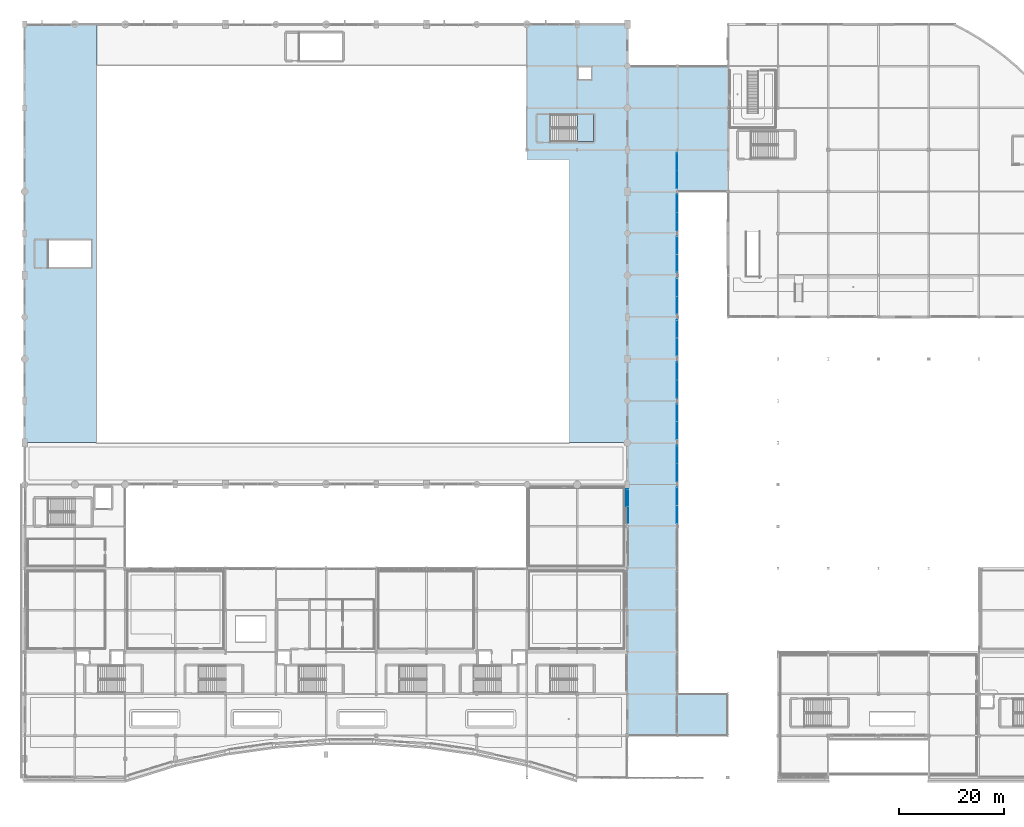
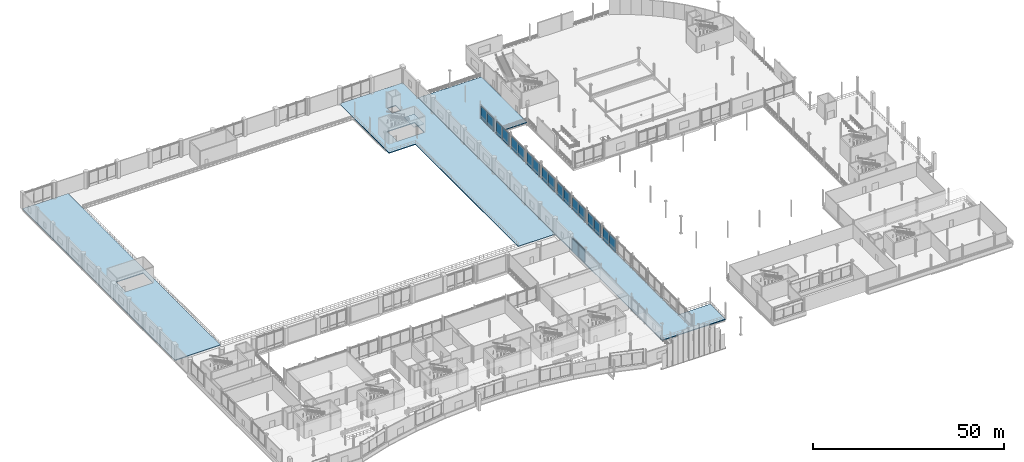
# One storey, part 72 of 129: 21 plates, 4 slabs, 12 elements without a shape of their own.
"""IFC4 building model written with IfcOpenShell, lengths in metres."""

import ifcopenshell
import ifcopenshell.guid

model = None  # the IFC model being written
_history = None  # IfcOwnerHistory: only IFC2X3 demands one
_inside = {}  # id of a spatial element -> (the spatial element, [elements in it])
_under = {}  # id of a project, library or spatial element -> (it, [spatial elements below it])
_declared = {}  # id of a project -> (the project, [libraries it declares])
_typed = {}  # id of a type object -> (the type object, [elements of that type])
_made_of = {}  # id of a material, layer set ... -> (it, [elements and type objects made of it])


def new_model(schema):
    """Start an empty IFC model of exactly this schema.

    Asked for "IFC4X3", IfcOpenShell would pick the latest addendum, in which some entities
    have other attributes; the version numbers below select the first issue.
    IFC2X3 requires an IfcOwnerHistory on every rooted entity: one is made here for all.
    """
    global model, _history
    if schema == "IFC4X3":
        model = ifcopenshell.file(schema_version=(4, 3, 0, 0))
    else:
        model = ifcopenshell.file(schema=schema)
    _inside.clear()
    _under.clear()
    _declared.clear()
    _typed.clear()
    _made_of.clear()
    _history = None
    if model.schema == "IFC2X3":
        org = make("IfcOrganization", Name="unknown")
        user = make(
            "IfcPersonAndOrganization",
            ThePerson=make("IfcPerson", FamilyName="unknown"),
            TheOrganization=org,
        )
        app = make(
            "IfcApplication",
            ApplicationDeveloper=org,
            Version="unknown",
            ApplicationFullName="unknown",
            ApplicationIdentifier="unknown",
        )
        _history = make(
            "IfcOwnerHistory",
            OwningUser=user,
            OwningApplication=app,
            ChangeAction="ADDED",
            CreationDate=0,
        )
    return model


def make(cls, **values):
    """One entity of the class cls with the attributes given. An attribute that is None is left unset."""
    return model.create_entity(
        cls, **{name: value for name, value in values.items() if value is not None}
    )


def rooted(cls, **values):
    """An entity with a GlobalId (a new one), such as an element, a storey or a relation."""
    return make(cls, GlobalId=ifcopenshell.guid.new(), OwnerHistory=_history, **values)


def si_unit(unit_type, name, prefix=None):
    """IfcSIUnit, for example si_unit("LENGTHUNIT", "METRE", prefix="MILLI")."""
    return make("IfcSIUnit", UnitType=unit_type, Prefix=prefix, Name=name)


def assignment(units):
    """IfcUnitAssignment: the units of a project."""
    return None if units is None else make("IfcUnitAssignment", Units=units)


def point(xyz):
    """IfcCartesianPoint."""
    return None if xyz is None else make("IfcCartesianPoint", Coordinates=xyz)


def direction(xyz):
    """IfcDirection."""
    return None if xyz is None else make("IfcDirection", DirectionRatios=xyz)


def frame(location, z_axis=None, x_axis=None):
    """IfcAxis2Placement3D, a coordinate frame: its origin and axes. An axis left out is left unset."""
    return make(
        "IfcAxis2Placement3D",
        Location=point(location),
        Axis=direction(z_axis),
        RefDirection=direction(x_axis),
    )


def frame_2d(location, x_axis=None):
    """IfcAxis2Placement2D, a coordinate frame in the plane: its origin and x axis."""
    return make(
        "IfcAxis2Placement2D", Location=point(location), RefDirection=direction(x_axis)
    )


def origin():
    """The frame at (0, 0, 0) with its axes left unset."""
    return frame((0.0, 0.0, 0.0))


def origin_2d():
    """The frame at (0, 0) in the plane with its x axis left unset."""
    return frame_2d((0.0, 0.0))


def place(relative_to, where):
    """IfcLocalPlacement: puts the frame where relative to a parent placement (None: the world)."""
    return make(
        "IfcLocalPlacement", PlacementRelTo=relative_to, RelativePlacement=where
    )


def context(
    kind, dimensions, precision=None, world=None, true_north=None, identifier=None
):
    """IfcGeometricRepresentationContext, for example the 3D "Model" context."""
    return make(
        "IfcGeometricRepresentationContext",
        ContextIdentifier=identifier,
        ContextType=kind,
        CoordinateSpaceDimension=dimensions,
        Precision=precision,
        WorldCoordinateSystem=world,
        TrueNorth=true_north,
    )


def subcontext(parent, identifier, kind, view, scale=None):
    """IfcGeometricRepresentationSubContext, for example "Body" below "Model"."""
    return make(
        "IfcGeometricRepresentationSubContext",
        ContextIdentifier=identifier,
        ContextType=kind,
        ParentContext=parent,
        TargetScale=scale,
        TargetView=view,
    )


def project(units=None, contexts=None):
    """IfcProject with its units and contexts."""
    return rooted(
        "IfcProject",
        Name="project",
        RepresentationContexts=contexts,
        UnitsInContext=assignment(units),
    )


def spatial(cls, under=None, at=None, **own):
    """A site, building, storey or space (cls), placed at a placement, below another one or the project."""
    s = rooted(cls, ObjectPlacement=at, **own)
    if under is not None:
        _under.setdefault(under.id(), (under, []))[1].append(s)
    return s


def polyline(points):
    """IfcPolyline through the points."""
    return make("IfcPolyline", Points=[point(p) for p in points])


def profile(cls, at=None, kind="AREA", **sizes):
    """A parametric profile (cls). Its sizes go by their IFC names, for example OverallWidth=200.0."""
    return make(cls, ProfileType=kind, Position=at, **sizes)


def rectangle(**sizes):
    """IfcRectangleProfileDef."""
    return profile("IfcRectangleProfileDef", **sizes)


def outline(outer, holes=None, kind="AREA"):
    """IfcArbitraryClosedProfileDef: a profile drawn as a closed curve; with holes, ...WithVoids."""
    if holes is None:
        return make("IfcArbitraryClosedProfileDef", ProfileType=kind, OuterCurve=outer)
    return make(
        "IfcArbitraryProfileDefWithVoids",
        ProfileType=kind,
        OuterCurve=outer,
        InnerCurves=holes,
    )


def extrude(swept, where, along, depth):
    """IfcExtrudedAreaSolid: the profile swept, set in the frame where, extruded along a direction by depth."""
    return make(
        "IfcExtrudedAreaSolid",
        SweptArea=swept,
        Position=where,
        ExtrudedDirection=direction(along),
        Depth=depth,
    )


def shape(context_of_items, identifier, shape_type, items):
    """IfcShapeRepresentation: the items that make up one representation, for example the "Body"."""
    return make(
        "IfcShapeRepresentation",
        ContextOfItems=context_of_items,
        RepresentationIdentifier=identifier,
        RepresentationType=shape_type,
        Items=items,
    )


def material(Name=None, Category=None):
    """IfcMaterial."""
    return make("IfcMaterial", Name=Name, Category=Category)


def layer(
    of_material, thickness, ventilated=None, Name=None, Category=None, Priority=None
):
    """IfcMaterialLayer: one layer of a wall or slab, of a material (None: an air gap)."""
    return make(
        "IfcMaterialLayer",
        Material=of_material,
        LayerThickness=thickness,
        IsVentilated=ventilated,
        Name=Name,
        Category=Category,
        Priority=Priority,
    )


def layer_set(layers, Name=None):
    """IfcMaterialLayerSet."""
    return make("IfcMaterialLayerSet", MaterialLayers=layers, LayerSetName=Name)


def made_of(thing, what):
    """Note that an element or type object is made of a material, layer set ...; save() writes the relation."""
    if what is not None:
        _made_of.setdefault(what.id(), (what, []))[1].append(thing)
    return thing


def type_object(cls, material=None, **own):
    """A type object (cls), such as IfcWallType, which elements share."""
    return made_of(rooted(cls, **own), material)


def element(
    cls,
    number,
    at=None,
    inside=None,
    cuts=None,
    type_object=None,
    material=None,
    context=None,
    identifier="Body",
    shape_type=None,
    held_by="IfcProductDefinitionShape",
    body=None,
    shapes=None,
    **own,
):
    """One element of the class cls, such as IfcWall. Its Tag is "e" and its number.

    at: its placement. inside: the storey or other place that contains it. cuts: it is an
    opening in that element (IfcRelVoidsElement). A single representation is given by context,
    identifier, shape_type and body (its items); several are given by shapes. held_by: the class
    of the entity that holds the representations. save() writes the other relations.
    """
    e = rooted(cls, Tag="e%d" % number, ObjectPlacement=at, **own)
    if body is not None:
        shapes = [shape(context, identifier, shape_type, body)]
    if shapes is not None:
        e.Representation = make(held_by, Representations=shapes)
    if inside is not None:
        _inside.setdefault(inside.id(), (inside, []))[1].append(e)
    if cuts is not None:
        rooted(
            "IfcRelVoidsElement", RelatingBuildingElement=cuts, RelatedOpeningElement=e
        )
    if type_object is not None:
        _typed.setdefault(type_object.id(), (type_object, []))[1].append(e)
    return made_of(e, material)


def aggregate(whole, parts):
    """IfcRelAggregates: a whole, such as a stair, and the parts it consists of."""
    return rooted("IfcRelAggregates", RelatingObject=whole, RelatedObjects=parts)


def save(model, path):
    """Write the relations noted so far, then the file.

    IfcRelAggregates (storeys below a building ...), IfcRelContainedInSpatialStructure (elements
    in a storey), IfcRelDefinesByType, IfcRelAssociatesMaterial and IfcRelDeclares: one each for
    every whole, place, type object, material and project.
    """
    for whole, parts in _under.values():
        aggregate(whole, parts)
    for where, things in _inside.values():
        rooted(
            "IfcRelContainedInSpatialStructure",
            RelatedElements=things,
            RelatingStructure=where,
        )
    for kind, things in _typed.values():
        rooted("IfcRelDefinesByType", RelatedObjects=things, RelatingType=kind)
    for what, things in _made_of.values():
        rooted("IfcRelAssociatesMaterial", RelatedObjects=things, RelatingMaterial=what)
    for by, libraries in _declared.values():
        rooted("IfcRelDeclares", RelatingContext=by, RelatedDefinitions=libraries)
    model.write(path)


model = new_model("IFC4")

# Units and contexts
model_context = context("Model", 3, precision=1e-05, world=origin(), true_north=direction((0.0, 1.0)))
body_context = subcontext(model_context, "Body", "Model", "MODEL_VIEW")
ifc_project = project(units=[si_unit("LENGTHUNIT", "METRE"), si_unit("AREAUNIT", "SQUARE_METRE"), si_unit("VOLUMEUNIT", "CUBIC_METRE"), si_unit("PLANEANGLEUNIT", "RADIAN"), si_unit("MASSUNIT", "GRAM", prefix="KILO")], contexts=[model_context])

# Site, building, storey
site_placement = place(None, origin())
site = spatial("IfcSite", under=ifc_project, at=site_placement, CompositionType="ELEMENT")
building_placement = place(site_placement, origin())
building = spatial("IfcBuilding", under=site, at=building_placement, Name="Danafjord Basin Convention Centre", CompositionType="ELEMENT")
storey_placement = place(building_placement, frame((0.0, 0.0, 6.0)))
storey = spatial("IfcBuildingStorey", under=building, at=storey_placement, Name="L01", CompositionType="ELEMENT", Elevation=6.0)

# Curtain wall, plate
ifc_material_1 = material(Name="Anodised aluminium and triple glazing", Category="aluminium")
curtain_wall_type_1 = type_object("IfcCurtainWallType", Name="CW-CW-TERR", PredefinedType="NOTDEFINED", material=ifc_material_1)
curtain_wall_1_placement = place(storey_placement, origin())
curtain_wall_1 = element("IfcCurtainWall", 1, at=curtain_wall_1_placement, inside=storey, type_object=curtain_wall_type_1, Name="L01 CW-TERR unitised curtain wall bay 60", PredefinedType="NOTDEFINED")
ifc_material_2 = material(Name="Triple low-E insulated glazing", Category="glass")
ifc_layer_1 = layer(ifc_material_2, 0.0380859375)
ifc_layer_set_1 = layer_set([ifc_layer_1], Name="Triple low-E insulated glazing")
plate_type_1 = type_object("IfcPlateType", Name="PLT-GP-38", PredefinedType="CURTAIN_PANEL", material=ifc_layer_set_1)
plate_1_placement = place(storey_placement, frame((115.050048828125, 53.47509765625, 0.087890625), z_axis=(0.0, 0.0, 1.0), x_axis=(0.0, 1.0, 0.0)))
plate_1 = element("IfcPlate", 2, at=plate_1_placement, type_object=plate_type_1, Name="CW-L01-060 vision glazing unit 2", PredefinedType="CURTAIN_PANEL", context=body_context, shape_type="SweptSolid", body=[
    extrude(rectangle(XDim=3.194091796875, YDim=0.0380859375, at=origin_2d()), origin(), (0.0, 0.0, 1.0), 4.0390625),
])
aggregate(curtain_wall_1, [plate_1])

# Curtain wall, plates
curtain_wall_type_2 = type_object("IfcCurtainWallType", Name="CW-CW-BRIDGE", PredefinedType="NOTDEFINED", material=ifc_material_1)
curtain_wall_2_placement = place(storey_placement, origin())
curtain_wall_2 = element("IfcCurtainWall", 3, at=curtain_wall_2_placement, inside=storey, type_object=curtain_wall_type_2, Name="L01 CW-BRIDGE unitised curtain wall bay 164", PredefinedType="NOTDEFINED")
plate_2_placement = place(storey_placement, frame((115.35009765625, 53.47509765625, 0.087890625), z_axis=(0.0, 0.0, 1.0), x_axis=(0.0, -1.0, 0.0)))
plate_2 = element("IfcPlate", 4, at=plate_2_placement, type_object=plate_type_1, Name="CW-L01-164 vision glazing unit 1", PredefinedType="CURTAIN_PANEL", context=body_context, shape_type="SweptSolid", body=[
    extrude(rectangle(XDim=3.194091796875, YDim=0.0380859375, at=origin_2d()), origin(), (0.0, 0.0, 1.0), 4.0390625),
])
plate_3_placement = place(storey_placement, frame((115.35009765625, 50.22509765625, 0.087890625), z_axis=(0.0, 0.0, 1.0), x_axis=(0.0, -1.0, 0.0)))
plate_3 = element("IfcPlate", 5, at=plate_3_placement, type_object=plate_type_1, Name="CW-L01-164 vision glazing unit 2", PredefinedType="CURTAIN_PANEL", context=body_context, shape_type="SweptSolid", body=[
    extrude(rectangle(XDim=3.194091796875, YDim=0.0380859375, at=origin_2d()), origin(), (0.0, 0.0, 1.0), 4.0390625),
])
aggregate(curtain_wall_2, [plate_2, plate_3])

curtain_wall_3_placement = place(storey_placement, origin())
curtain_wall_3 = element("IfcCurtainWall", 6, at=curtain_wall_3_placement, inside=storey, type_object=curtain_wall_type_2, Name="L01 CW-BRIDGE unitised curtain wall bay 166", PredefinedType="NOTDEFINED")
plate_4_placement = place(storey_placement, frame((124.679931640625, 58.300048828125, 0.087890625), z_axis=(0.0, 0.0, 1.0), x_axis=(0.0, 1.0, 0.0)))
plate_4 = element("IfcPlate", 7, at=plate_4_placement, type_object=plate_type_1, Name="CW-L01-166 vision glazing unit 1", PredefinedType="CURTAIN_PANEL", context=body_context, shape_type="SweptSolid", body=[
    extrude(rectangle(XDim=3.343994140625, YDim=0.0380859375, at=origin_2d()), origin(), (0.0, 0.0, 1.0), 4.138916015625),
])
plate_5_placement = place(storey_placement, frame((124.679931640625, 61.699951171875, 0.087890625), z_axis=(0.0, 0.0, 1.0), x_axis=(0.0, 1.0, 0.0)))
plate_5 = element("IfcPlate", 8, at=plate_5_placement, type_object=plate_type_1, Name="CW-L01-166 vision glazing unit 2", PredefinedType="CURTAIN_PANEL", context=body_context, shape_type="SweptSolid", body=[
    extrude(rectangle(XDim=3.343994140625, YDim=0.0380859375, at=origin_2d()), origin(), (0.0, 0.0, 1.0), 4.138916015625),
])
aggregate(curtain_wall_3, [plate_4, plate_5])

curtain_wall_4_placement = place(storey_placement, origin())
curtain_wall_4 = element("IfcCurtainWall", 9, at=curtain_wall_4_placement, inside=storey, type_object=curtain_wall_type_2, Name="L01 CW-BRIDGE unitised curtain wall bay 168", PredefinedType="NOTDEFINED")
plate_6_placement = place(storey_placement, frame((124.679931640625, 66.300048828125, 0.087890625), z_axis=(0.0, 0.0, 1.0), x_axis=(0.0, 1.0, 0.0)))
plate_6 = element("IfcPlate", 10, at=plate_6_placement, type_object=plate_type_1, Name="CW-L01-168 vision glazing unit 1", PredefinedType="CURTAIN_PANEL", context=body_context, shape_type="SweptSolid", body=[
    extrude(rectangle(XDim=3.343994140625, YDim=0.0380859375, at=origin_2d()), origin(), (0.0, 0.0, 1.0), 4.089111328125),
])
plate_7_placement = place(storey_placement, frame((124.679931640625, 69.699951171875, 0.087890625), z_axis=(0.0, 0.0, 1.0), x_axis=(0.0, 1.0, 0.0)))
plate_7 = element("IfcPlate", 11, at=plate_7_placement, type_object=plate_type_1, Name="CW-L01-168 vision glazing unit 2", PredefinedType="CURTAIN_PANEL", context=body_context, shape_type="SweptSolid", body=[
    extrude(rectangle(XDim=3.343994140625, YDim=0.0380859375, at=origin_2d()), origin(), (0.0, 0.0, 1.0), 4.089111328125),
])
aggregate(curtain_wall_4, [plate_6, plate_7])

curtain_wall_5_placement = place(storey_placement, origin())
curtain_wall_5 = element("IfcCurtainWall", 12, at=curtain_wall_5_placement, inside=storey, type_object=curtain_wall_type_2, Name="L01 CW-BRIDGE unitised curtain wall bay 170", PredefinedType="NOTDEFINED")
plate_8_placement = place(storey_placement, frame((124.679931640625, 74.300048828125, 0.087890625), z_axis=(0.0, 0.0, 1.0), x_axis=(0.0, 1.0, 0.0)))
plate_8 = element("IfcPlate", 13, at=plate_8_placement, type_object=plate_type_1, Name="CW-L01-170 vision glazing unit 1", PredefinedType="CURTAIN_PANEL", context=body_context, shape_type="SweptSolid", body=[
    extrude(rectangle(XDim=3.343994140625, YDim=0.0380859375, at=origin_2d()), origin(), (0.0, 0.0, 1.0), 4.138916015625),
])
plate_9_placement = place(storey_placement, frame((124.679931640625, 77.699951171875, 0.087890625), z_axis=(0.0, 0.0, 1.0), x_axis=(0.0, 1.0, 0.0)))
plate_9 = element("IfcPlate", 14, at=plate_9_placement, type_object=plate_type_1, Name="CW-L01-170 vision glazing unit 2", PredefinedType="CURTAIN_PANEL", context=body_context, shape_type="SweptSolid", body=[
    extrude(rectangle(XDim=3.343994140625, YDim=0.0380859375, at=origin_2d()), origin(), (0.0, 0.0, 1.0), 4.138916015625),
])
aggregate(curtain_wall_5, [plate_8, plate_9])

curtain_wall_6_placement = place(storey_placement, origin())
curtain_wall_6 = element("IfcCurtainWall", 15, at=curtain_wall_6_placement, inside=storey, type_object=curtain_wall_type_2, Name="L01 CW-BRIDGE unitised curtain wall bay 172", PredefinedType="NOTDEFINED")
plate_10_placement = place(storey_placement, frame((124.679931640625, 82.300048828125, 0.087890625), z_axis=(0.0, 0.0, 1.0), x_axis=(0.0, 1.0, 0.0)))
plate_10 = element("IfcPlate", 16, at=plate_10_placement, type_object=plate_type_1, Name="CW-L01-172 vision glazing unit 1", PredefinedType="CURTAIN_PANEL", context=body_context, shape_type="SweptSolid", body=[
    extrude(rectangle(XDim=3.343994140625, YDim=0.0380859375, at=origin_2d()), origin(), (0.0, 0.0, 1.0), 4.089111328125),
])
plate_11_placement = place(storey_placement, frame((124.679931640625, 85.699951171875, 0.087890625), z_axis=(0.0, 0.0, 1.0), x_axis=(0.0, 1.0, 0.0)))
plate_11 = element("IfcPlate", 17, at=plate_11_placement, type_object=plate_type_1, Name="CW-L01-172 vision glazing unit 2", PredefinedType="CURTAIN_PANEL", context=body_context, shape_type="SweptSolid", body=[
    extrude(rectangle(XDim=3.343994140625, YDim=0.0380859375, at=origin_2d()), origin(), (0.0, 0.0, 1.0), 4.089111328125),
])
aggregate(curtain_wall_6, [plate_10, plate_11])

curtain_wall_7_placement = place(storey_placement, origin())
curtain_wall_7 = element("IfcCurtainWall", 18, at=curtain_wall_7_placement, inside=storey, type_object=curtain_wall_type_2, Name="L01 CW-BRIDGE unitised curtain wall bay 174", PredefinedType="NOTDEFINED")
plate_12_placement = place(storey_placement, frame((124.679931640625, 98.300048828125, 0.087890625), z_axis=(0.0, 0.0, 1.0), x_axis=(0.0, 1.0, 0.0)))
plate_12 = element("IfcPlate", 19, at=plate_12_placement, type_object=plate_type_1, Name="CW-L01-174 vision glazing unit 1", PredefinedType="CURTAIN_PANEL", context=body_context, shape_type="SweptSolid", body=[
    extrude(rectangle(XDim=3.343994140625, YDim=0.0380859375, at=origin_2d()), origin(), (0.0, 0.0, 1.0), 4.089111328125),
])
plate_13_placement = place(storey_placement, frame((124.679931640625, 101.699951171875, 0.087890625), z_axis=(0.0, 0.0, 1.0), x_axis=(0.0, 1.0, 0.0)))
plate_13 = element("IfcPlate", 20, at=plate_13_placement, type_object=plate_type_1, Name="CW-L01-174 vision glazing unit 2", PredefinedType="CURTAIN_PANEL", context=body_context, shape_type="SweptSolid", body=[
    extrude(rectangle(XDim=3.343994140625, YDim=0.0380859375, at=origin_2d()), origin(), (0.0, 0.0, 1.0), 4.089111328125),
])
aggregate(curtain_wall_7, [plate_12, plate_13])

curtain_wall_8_placement = place(storey_placement, origin())
curtain_wall_8 = element("IfcCurtainWall", 21, at=curtain_wall_8_placement, inside=storey, type_object=curtain_wall_type_2, Name="L01 CW-BRIDGE unitised curtain wall bay 176", PredefinedType="NOTDEFINED")
plate_14_placement = place(storey_placement, frame((124.679931640625, 114.300048828125, 0.087890625), z_axis=(0.0, 0.0, 1.0), x_axis=(0.0, 1.0, 0.0)))
plate_14 = element("IfcPlate", 22, at=plate_14_placement, type_object=plate_type_1, Name="CW-L01-176 vision glazing unit 1", PredefinedType="CURTAIN_PANEL", context=body_context, shape_type="SweptSolid", body=[
    extrude(rectangle(XDim=3.343994140625, YDim=0.0380859375, at=origin_2d()), origin(), (0.0, 0.0, 1.0), 4.089111328125),
])
plate_15_placement = place(storey_placement, frame((124.679931640625, 117.699951171875, 0.087890625), z_axis=(0.0, 0.0, 1.0), x_axis=(0.0, 1.0, 0.0)))
plate_15 = element("IfcPlate", 23, at=plate_15_placement, type_object=plate_type_1, Name="CW-L01-176 vision glazing unit 2", PredefinedType="CURTAIN_PANEL", context=body_context, shape_type="SweptSolid", body=[
    extrude(rectangle(XDim=3.343994140625, YDim=0.0380859375, at=origin_2d()), origin(), (0.0, 0.0, 1.0), 4.089111328125),
])
aggregate(curtain_wall_8, [plate_14, plate_15])

curtain_wall_9_placement = place(storey_placement, origin())
curtain_wall_9 = element("IfcCurtainWall", 24, at=curtain_wall_9_placement, inside=storey, type_object=curtain_wall_type_2, Name="L01 CW-BRIDGE unitised curtain wall bay 163", PredefinedType="NOTDEFINED")
ifc_layer_2 = layer(ifc_material_2, 0.048095703125)
ifc_layer_set_2 = layer_set([ifc_layer_2], Name="Triple low-E insulated glazing")
plate_type_2 = type_object("IfcPlateType", Name="PLT-GP-48", PredefinedType="CURTAIN_PANEL", material=ifc_layer_set_2)
plate_16_placement = place(storey_placement, frame((124.679931640625, 50.300048828125, 0.087890625), z_axis=(0.0, 0.0, 1.0), x_axis=(0.0, 1.0, 0.0)))
plate_16 = element("IfcPlate", 25, at=plate_16_placement, type_object=plate_type_2, Name="CW-L01-163 vision glazing unit 1", PredefinedType="CURTAIN_PANEL", context=body_context, shape_type="SweptSolid", body=[
    extrude(rectangle(XDim=3.343994140625, YDim=0.048095703125, at=origin_2d()), origin(), (0.0, 0.0, 1.0), 4.089111328125),
])
plate_17_placement = place(storey_placement, frame((124.679931640625, 53.699951171875, 0.087890625), z_axis=(0.0, 0.0, 1.0), x_axis=(0.0, 1.0, 0.0)))
plate_17 = element("IfcPlate", 26, at=plate_17_placement, type_object=plate_type_2, Name="CW-L01-163 vision glazing unit 2", PredefinedType="CURTAIN_PANEL", context=body_context, shape_type="SweptSolid", body=[
    extrude(rectangle(XDim=3.343994140625, YDim=0.048095703125, at=origin_2d()), origin(), (0.0, 0.0, 1.0), 4.089111328125),
])
aggregate(curtain_wall_9, [plate_16, plate_17])

curtain_wall_10_placement = place(storey_placement, origin())
curtain_wall_10 = element("IfcCurtainWall", 27, at=curtain_wall_10_placement, inside=storey, type_object=curtain_wall_type_2, Name="L01 CW-BRIDGE unitised curtain wall bay 173", PredefinedType="NOTDEFINED")
plate_18_placement = place(storey_placement, frame((124.679931640625, 90.300048828125, 0.087890625), z_axis=(0.0, 0.0, 1.0), x_axis=(0.0, 1.0, 0.0)))
plate_18 = element("IfcPlate", 28, at=plate_18_placement, type_object=plate_type_2, Name="CW-L01-173 vision glazing unit 1", PredefinedType="CURTAIN_PANEL", context=body_context, shape_type="SweptSolid", body=[
    extrude(rectangle(XDim=3.343994140625, YDim=0.048095703125, at=origin_2d()), origin(), (0.0, 0.0, 1.0), 4.138916015625),
])
plate_19_placement = place(storey_placement, frame((124.679931640625, 93.699951171875, 0.087890625), z_axis=(0.0, 0.0, 1.0), x_axis=(0.0, 1.0, 0.0)))
plate_19 = element("IfcPlate", 29, at=plate_19_placement, type_object=plate_type_2, Name="CW-L01-173 vision glazing unit 2", PredefinedType="CURTAIN_PANEL", context=body_context, shape_type="SweptSolid", body=[
    extrude(rectangle(XDim=3.343994140625, YDim=0.048095703125, at=origin_2d()), origin(), (0.0, 0.0, 1.0), 4.138916015625),
])
aggregate(curtain_wall_10, [plate_18, plate_19])

curtain_wall_11_placement = place(storey_placement, origin())
curtain_wall_11 = element("IfcCurtainWall", 30, at=curtain_wall_11_placement, inside=storey, type_object=curtain_wall_type_2, Name="L01 CW-BRIDGE unitised curtain wall bay 175", PredefinedType="NOTDEFINED")
plate_20_placement = place(storey_placement, frame((124.679931640625, 106.300048828125, 0.087890625), z_axis=(0.0, 0.0, 1.0), x_axis=(0.0, 1.0, 0.0)))
plate_20 = element("IfcPlate", 31, at=plate_20_placement, type_object=plate_type_2, Name="CW-L01-175 vision glazing unit 1", PredefinedType="CURTAIN_PANEL", context=body_context, shape_type="SweptSolid", body=[
    extrude(rectangle(XDim=3.343994140625, YDim=0.048095703125, at=origin_2d()), origin(), (0.0, 0.0, 1.0), 4.138916015625),
])
plate_21_placement = place(storey_placement, frame((124.679931640625, 109.699951171875, 0.087890625), z_axis=(0.0, 0.0, 1.0), x_axis=(0.0, 1.0, 0.0)))
plate_21 = element("IfcPlate", 32, at=plate_21_placement, type_object=plate_type_2, Name="CW-L01-175 vision glazing unit 2", PredefinedType="CURTAIN_PANEL", context=body_context, shape_type="SweptSolid", body=[
    extrude(rectangle(XDim=3.343994140625, YDim=0.048095703125, at=origin_2d()), origin(), (0.0, 0.0, 1.0), 4.138916015625),
])
aggregate(curtain_wall_11, [plate_20, plate_21])

# Slabs
ifc_material_3 = material(Name="Concrete C35/45", Category="concrete")
ifc_layer_3 = layer(ifc_material_3, 0.22998046875)
ifc_layer_set_3 = layer_set([ifc_layer_3], Name="Concrete C35/45")
slab_type_1 = type_object("IfcSlabType", Name="SLAB-FS-230", PredefinedType="FLOOR", material=ifc_layer_set_3)
slab_1_placement = place(storey_placement, frame((0.0, 0.0, -0.22998046875)))
element("IfcSlab", 33, at=slab_1_placement, inside=storey, type_object=slab_type_1, Name="L01 FS-230 slab SL-L01-V6", PredefinedType="FLOOR", context=body_context, shape_type="SweptSolid", body=[
    extrude(outline(polyline([(115.25, 8.0), (115.25, 136.0), (134.35009765625, 136.0), (134.35009765625, 112.0), (124.800048828125, 112.0), (124.800048828125, 16.0), (134.35009765625, 16.0), (134.35009765625, 8.0), (115.25, 8.0)])), origin(), (0.0, 0.0, 1.0), 0.22998046875),
])
ifc_layer_4 = layer(ifc_material_3, 0.25)
ifc_layer_set_4 = layer_set([ifc_layer_4], Name="Concrete C35/45")
slab_type_2 = type_object("IfcSlabType", Name="SLAB-FS-250", PredefinedType="FLOOR", material=ifc_layer_set_4)
slab_2_placement = place(storey_placement, frame((0.0, 0.0, -0.25)))
element("IfcSlab", 34, at=slab_2_placement, inside=storey, type_object=slab_type_2, Name="L01 FS-250 slab SL-L01-V1W", PredefinedType="FLOOR", context=body_context, shape_type="SweptSolid", body=[
    extrude(outline(polyline([(0.0, 144.0), (13.800048828125, 144.0), (13.800048828125, 64.0), (0.0, 64.0), (0.0, 144.0)]), holes=[polyline([(4.530029296875, 97.56005859375), (12.72998046875, 97.56005859375), (12.72998046875, 102.699951171875), (4.530029296875, 102.699951171875), (4.530029296875, 97.56005859375)])]), origin(), (0.0, 0.0, 1.0), 0.25),
])
slab_3_placement = place(storey_placement, frame((0.0, 0.0, -0.25)))
element("IfcSlab", 35, at=slab_3_placement, inside=storey, type_object=slab_type_2, Name="L01 FS-250 slab SL-L01-V1E", PredefinedType="FLOOR", context=body_context, shape_type="SweptSolid", body=[
    extrude(outline(polyline([(104.0, 118.0), (96.0, 118.0), (96.0, 144.0), (115.14990234375, 144.0), (115.14990234375, 64.0), (104.0, 64.0), (104.0, 118.0)]), holes=[polyline([(100.530029296875, 121.56005859375), (108.72998046875, 121.56005859375), (108.72998046875, 126.699951171875), (100.530029296875, 126.699951171875), (100.530029296875, 121.56005859375)]), polyline([(105.800048828125, 135.89990234375), (105.800048828125, 133.300048828125), (108.39990234375, 133.300048828125), (108.39990234375, 135.89990234375), (105.800048828125, 135.89990234375)])]), origin(), (0.0, 0.0, 1.0), 0.25),
])

# Stair, slab
ifc_material_4 = material(Name="Concrete C40/50", Category="concrete")
stair_type = type_object("IfcStairType", Name="STAIR-STR-C01", PredefinedType="TWO_STRAIGHT_RUN_STAIR", material=ifc_material_4)
stair_placement = place(storey_placement, origin())
stair = element("IfcStair", 36, at=stair_placement, inside=storey, type_object=stair_type, Name="L01 North Exhibition Core Stair 1", PredefinedType="HALF_TURN_STAIR")
ifc_layer_5 = layer(ifc_material_4, 0.199951171875)
ifc_layer_set_5 = layer_set([ifc_layer_5], Name="Concrete C40/50")
slab_type_3 = type_object("IfcSlabType", Name="SLAB-LAND-200", PredefinedType="LANDING", material=ifc_layer_set_5)
slab_4_placement = place(storey_placement, frame((0.0, 0.0, 2.5)))
slab_4 = element("IfcSlab", 37, at=slab_4_placement, type_object=slab_type_3, Name="ST-09 landing 1", PredefinedType="LANDING", context=body_context, shape_type="SweptSolid", body=[
    extrude(outline(polyline([(105.639892578125, 121.56005859375), (108.72998046875, 121.56005859375), (108.72998046875, 126.699951171875), (105.639892578125, 126.699951171875), (105.639892578125, 121.56005859375)])), origin(), (0.0, 0.0, 1.0), 0.199951171875),
])
aggregate(stair, [slab_4])

save(model, "model.ifc")
